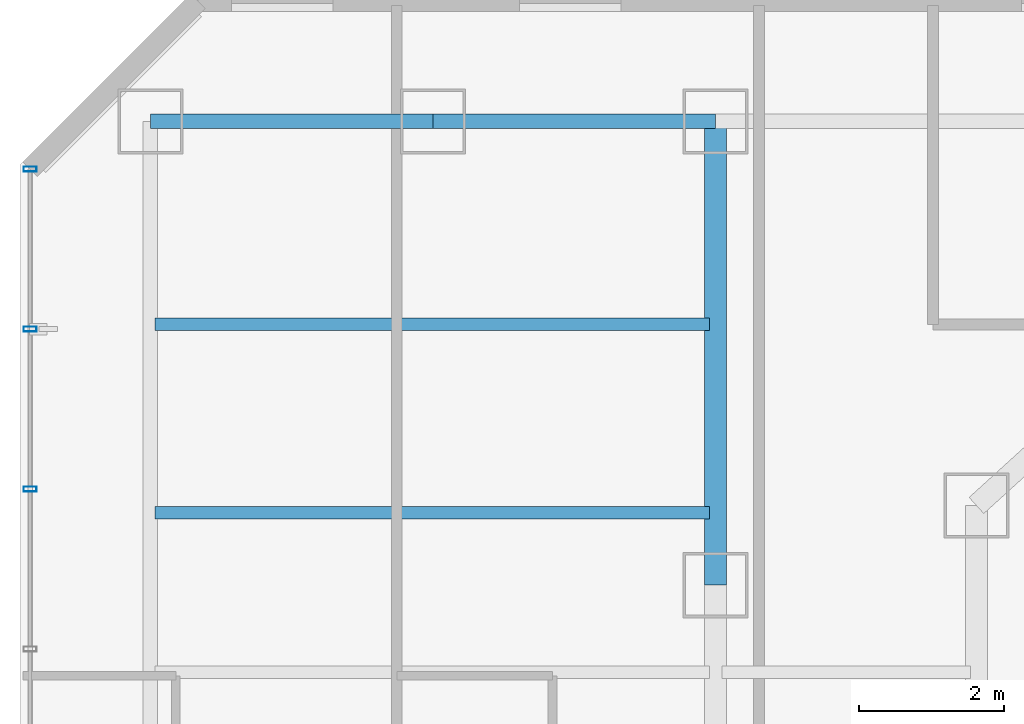
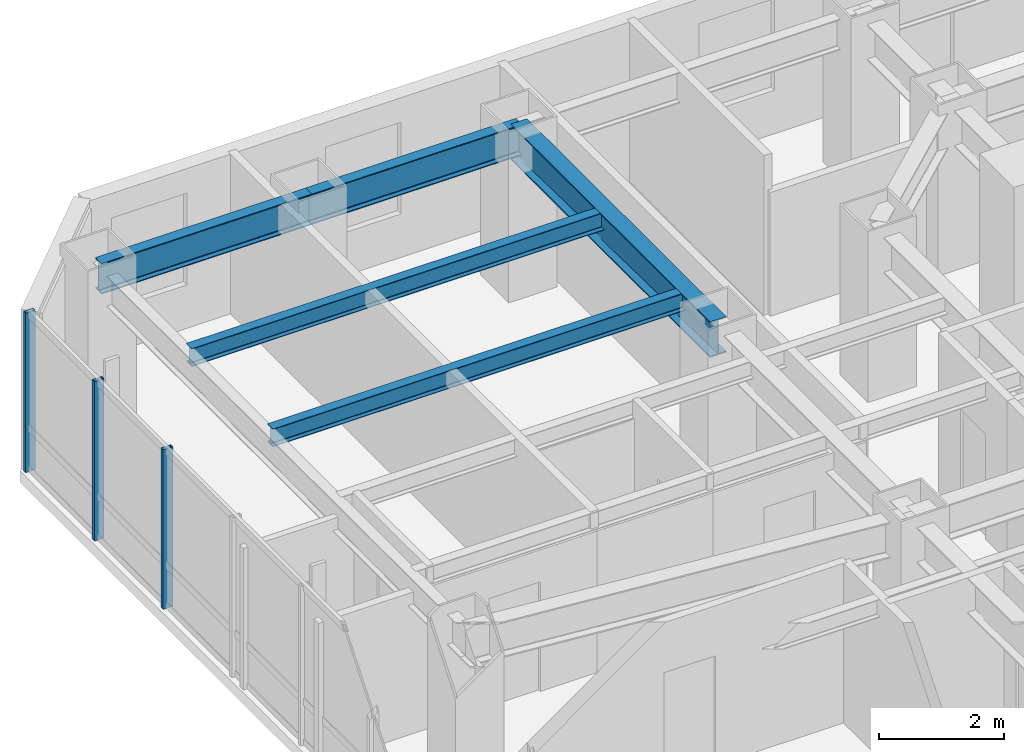
# One storey, part 17 of 31: 5 beams, 3 members, 1 element without a shape of its own.
"""IFC4 building model written with IfcOpenShell, lengths in metres."""

from ifc_helpers import new_model, si_unit, direction, frame, origin, origin_2d, place, context, subcontext, project, spatial, hollow_rectangle, i_section, extrude, material, layer, layer_set, material_profile, profile_set, type_object, element, aggregate, save


model = new_model("IFC4")

# Units and contexts
model_context = context("Model", 3, precision=1e-05, world=origin(), true_north=direction((0.0, 1.0)))
body_context = subcontext(model_context, "Body", "Model", "MODEL_VIEW")
ifc_project = project(units=[si_unit("LENGTHUNIT", "METRE"), si_unit("AREAUNIT", "SQUARE_METRE"), si_unit("VOLUMEUNIT", "CUBIC_METRE"), si_unit("PLANEANGLEUNIT", "RADIAN"), si_unit("MASSUNIT", "GRAM", prefix="KILO")], contexts=[model_context])

# Site, building, storey
site_placement = place(None, origin())
site = spatial("IfcSite", under=ifc_project, at=site_placement, CompositionType="ELEMENT")
building_placement = place(site_placement, origin())
building = spatial("IfcBuilding", under=site, at=building_placement, Name="Hatsunagi Terrace Concourse", CompositionType="ELEMENT")
storey_placement = place(building_placement, frame((0.0, 0.0, 81.300048828125)))
storey = spatial("IfcBuildingStorey", under=building, at=storey_placement, Name="L21", CompositionType="ELEMENT", Elevation=81.300048828125)

# Curtain wall, members
ifc_material_1 = material(Name="Anodised Aluminium Alloy 6063-T5", Category="aluminium")
ifc_layer = layer(ifc_material_1, 0.199951171875)
ifc_layer_set = layer_set([ifc_layer], Name="HotelFacade_CW02")
curtain_wall_type = type_object("IfcCurtainWallType", Name="HotelFacade_CW02", PredefinedType="NOTDEFINED", material=ifc_layer_set)
curtain_wall_placement = place(storey_placement, origin())
curtain_wall = element("IfcCurtainWall", 1, at=curtain_wall_placement, inside=storey, type_object=curtain_wall_type, Name="Unitised Curtain Wall CW-02 CW-L21-09", PredefinedType="NOTDEFINED")
ifc_material_2 = material(Name="Anodised Aluminium Alloy 6063-T5", Category="aluminium")
ifc_material_profile_1 = material_profile(ifc_material_2, hollow_rectangle(XDim=0.070068359375, YDim=0.179931640625, WallThickness=0.00390625, at=origin_2d()), Name="ALU-MUL-180x70x4")
ifc_profile_set_1 = profile_set([ifc_material_profile_1], Name="Anodised Aluminium Alloy 6063-T5")
member_type = type_object("IfcMemberType", Name="CurtainWallMullion_180x70", PredefinedType="MULLION", material=ifc_profile_set_1)
member_1_placement = place(storey_placement, frame((9.739990234375, 43.52490234375, 0.0), z_axis=(0.0, 0.0, 1.0), x_axis=(0.0, 1.0, 0.0)))
member_1 = element("IfcMember", 2, at=member_1_placement, type_object=member_type, Name="Curtain Wall Mullion MUL-02", PredefinedType="MULLION", context=body_context, shape_type="SweptSolid", body=[
    extrude(hollow_rectangle(XDim=0.070068359375, YDim=0.179931640625, WallThickness=0.00390625, at=origin_2d()), origin(), (0.0, 0.0, 1.0), 3.1298828125),
])
member_2_placement = place(storey_placement, frame((9.739990234375, 45.73388671875, 0.0), z_axis=(0.0, 0.0, 1.0), x_axis=(0.0, 1.0, 0.0)))
member_2 = element("IfcMember", 3, at=member_2_placement, type_object=member_type, Name="Curtain Wall Mullion MUL-02", PredefinedType="MULLION", context=body_context, shape_type="SweptSolid", body=[
    extrude(hollow_rectangle(XDim=0.070068359375, YDim=0.179931640625, WallThickness=0.00390625, at=origin_2d()), origin(), (0.0, 0.0, 1.0), 3.1298828125),
])
member_3_placement = place(storey_placement, frame((9.739990234375, 47.94189453125, 0.0), z_axis=(0.0, 0.0, 1.0), x_axis=(0.0, 1.0, 0.0)))
member_3 = element("IfcMember", 4, at=member_3_placement, type_object=member_type, Name="Curtain Wall Mullion MUL-02", PredefinedType="MULLION", context=body_context, shape_type="SweptSolid", body=[
    extrude(hollow_rectangle(XDim=0.070068359375, YDim=0.179931640625, WallThickness=0.00390625, at=origin_2d()), origin(), (0.0, 0.0, 1.0), 3.1298828125),
])
aggregate(curtain_wall, [member_1, member_2, member_3])

# Beams
ifc_material_3 = material(Name="Steel SN490B", Category="steel")
ifc_material_profile_2 = material_profile(ifc_material_3, i_section(OverallWidth=0.300048828125, OverallDepth=0.699951171875, WebThickness=0.012939453125, FlangeThickness=0.02392578125, FilletRadius=0.02197265625, at=origin_2d()), Name="H-700x300x13x24")
ifc_profile_set_2 = profile_set([ifc_material_profile_2], Name="Steel SN490B")
beam_type_1 = type_object("IfcBeamType", Name="HotelFloorGirder_H_700x300", PredefinedType="BEAM", material=ifc_profile_set_2)
beam_1_placement = place(storey_placement, frame((19.199951171875, 42.199951171875, 2.780029296875), z_axis=(0.0, 1.0, 0.0), x_axis=(-1.0, 0.0, 0.0)))
element("IfcBeam", 5, at=beam_1_placement, inside=storey, type_object=beam_type_1, Name="Beam G-04 BM-L21-NS-19-42", PredefinedType="BEAM", context=body_context, shape_type="SweptSolid", body=[
    extrude(i_section(OverallWidth=0.300048828125, OverallDepth=0.699951171875, WebThickness=0.012939453125, FlangeThickness=0.02392578125, FilletRadius=0.02197265625, at=origin_2d()), origin(), (0.0, 0.0, 1.0), 6.400146484375),
])
ifc_material_4 = material(Name="Steel SN490B", Category="steel")
ifc_material_profile_3 = material_profile(ifc_material_4, i_section(OverallWidth=0.175048828125, OverallDepth=0.35009765625, WebThickness=0.007080078125, FlangeThickness=0.010986328125, FilletRadius=0.012939453125, at=origin_2d()), Name="H-350x175x7x11")
ifc_profile_set_3 = profile_set([ifc_material_profile_3], Name="Steel SN490B")
beam_type_2 = type_object("IfcBeamType", Name="HotelJoist_H_350x175", PredefinedType="JOIST", material=ifc_profile_set_3)
for number, where, z_axis, x_axis, name in (
    (6, (11.465087890625, 43.199951171875, 2.954833984375), (1.0, 0.0, 0.0), (0.0, 1.0, 0.0), "Beam J-02 J-L21-W-11-432"),
    (7, (11.465087890625, 45.800048828125, 2.954833984375), (1.0, 0.0, 0.0), (0.0, 1.0, 0.0), "Beam J-02 J-L21-W-11-458"),
):
    element("IfcBeam", number, at=place(storey_placement, frame(where, z_axis=z_axis, x_axis=x_axis)), inside=storey, type_object=beam_type_2, Name=name, PredefinedType="JOIST", context=body_context, shape_type="SweptSolid", body=[
        extrude(i_section(OverallWidth=0.175048828125, OverallDepth=0.35009765625, WebThickness=0.007080078125, FlangeThickness=0.010986328125, FilletRadius=0.012939453125, at=origin_2d()), origin(), (0.0, 0.0, 1.0), 7.64990234375),
    ])
ifc_material_5 = material(Name="Steel SN490B", Category="steel")
ifc_material_profile_4 = material_profile(ifc_material_5, i_section(OverallWidth=0.199951171875, OverallDepth=0.60009765625, WebThickness=0.010986328125, FlangeThickness=0.01708984375, FilletRadius=0.01806640625, at=origin_2d()), Name="H-600x200x11x17")
ifc_profile_set_4 = profile_set([ifc_material_profile_4], Name="Steel SN490B")
beam_type_3 = type_object("IfcBeamType", Name="PerimeterSpandrel_H_600x200", PredefinedType="SPANDREL", material=ifc_profile_set_4)
beam_2_placement = place(storey_placement, frame((11.39990234375, 48.60009765625, 2.829833984375), z_axis=(1.0, 0.0, 0.0), x_axis=(0.0, 1.0, 0.0)))
element("IfcBeam", 8, at=beam_2_placement, inside=storey, type_object=beam_type_3, Name="Beam SP-01 BM-L21-WN-11", PredefinedType="SPANDREL", context=body_context, shape_type="SweptSolid", body=[
    extrude(i_section(OverallWidth=0.199951171875, OverallDepth=0.60009765625, WebThickness=0.010986328125, FlangeThickness=0.01708984375, FilletRadius=0.01806640625, at=origin_2d()), origin(), (0.0, 0.0, 1.0), 3.900146484375),
])
beam_3_placement = place(storey_placement, frame((15.300048828125, 48.60009765625, 2.829833984375), z_axis=(1.0, 0.0, 0.0), x_axis=(0.0, 1.0, 0.0)))
element("IfcBeam", 9, at=beam_3_placement, inside=storey, type_object=beam_type_3, Name="Beam SP-01 BM-L21-WN-15", PredefinedType="SPANDREL", context=body_context, shape_type="SweptSolid", body=[
    extrude(i_section(OverallWidth=0.199951171875, OverallDepth=0.60009765625, WebThickness=0.010986328125, FlangeThickness=0.01708984375, FilletRadius=0.01806640625, at=origin_2d()), origin(), (0.0, 0.0, 1.0), 3.89990234375),
])

save(model, "model.ifc")
